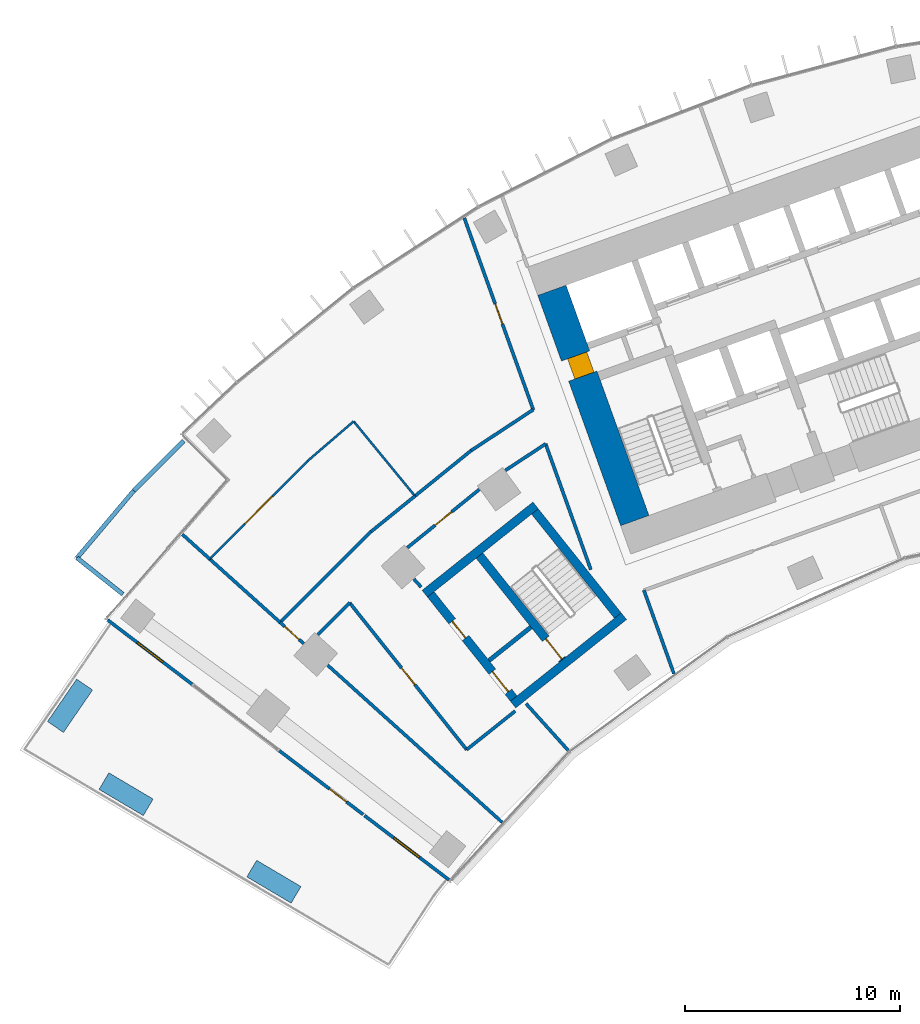
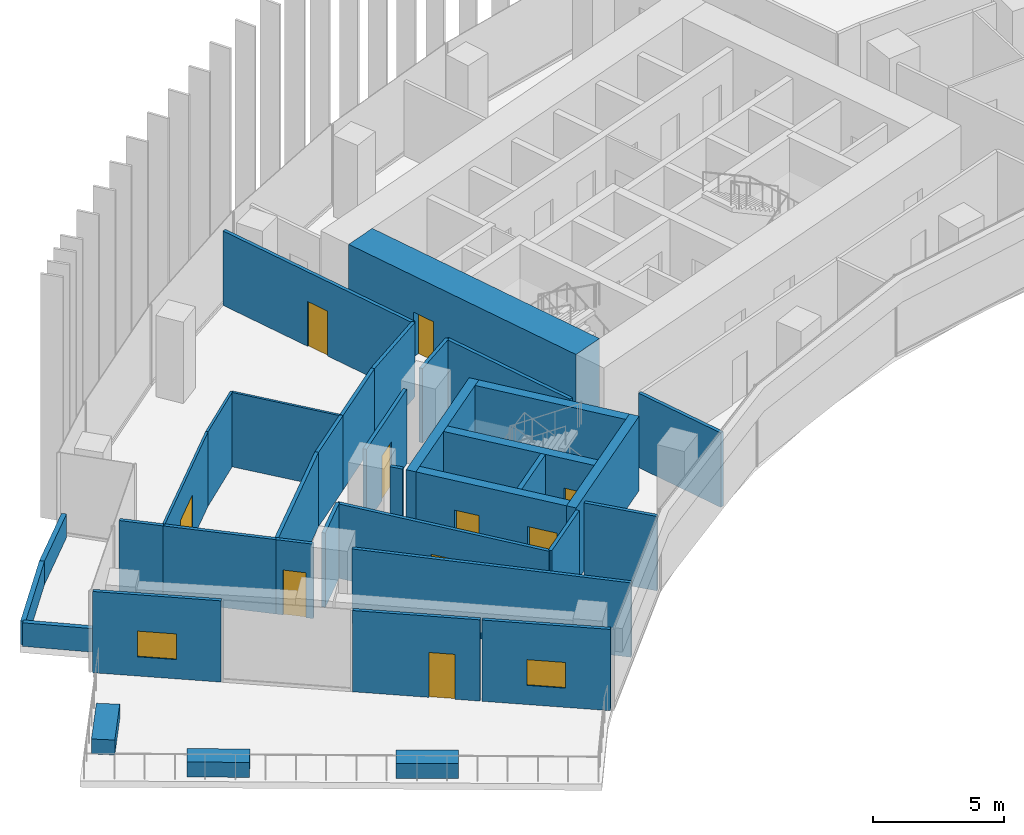
# One storey, part 14 of 21: 37 walls, 10 doors, 2 windows, 12 openings.
"""IFC4 building model written with IfcOpenShell, lengths in metres."""

from ifc_helpers import new_model, si_unit, direction, frame, frame_2d, origin, origin_2d, place, context, subcontext, project, spatial, rectangle, extrude, material, layer, layer_set, type_object, element, fill, save


model = new_model("IFC4")

# Units and contexts
model_context = context("Model", 3, precision=1e-05, world=origin(), true_north=direction((0.0, 1.0)))
body_context = subcontext(model_context, "Body", "Model", "MODEL_VIEW")
ifc_project = project(units=[si_unit("LENGTHUNIT", "METRE"), si_unit("AREAUNIT", "SQUARE_METRE"), si_unit("VOLUMEUNIT", "CUBIC_METRE"), si_unit("PLANEANGLEUNIT", "RADIAN"), si_unit("MASSUNIT", "GRAM", prefix="KILO")], contexts=[model_context])

# Site, building, storey
site_placement = place(None, origin())
site = spatial("IfcSite", under=ifc_project, at=site_placement, CompositionType="ELEMENT")
building_placement = place(site_placement, origin())
building = spatial("IfcBuilding", under=site, at=building_placement, Name="Stone Belt Terrace Tower", CompositionType="ELEMENT")
storey_placement = place(building_placement, frame((0.0, 0.0, 87.0)))
storey = spatial("IfcBuildingStorey", under=building, at=storey_placement, Name="L20", CompositionType="ELEMENT", Elevation=87.0)

# Wall, opening, window
ifc_material_1 = material(Name="Terracotta coloured glazed ceramic", Category="masonry")
ifc_layer_1 = layer(ifc_material_1, 0.14990234375)
ifc_layer_set_1 = layer_set([ifc_layer_1], Name="Ceramic rain-screen wall 150")
wall_type_1 = type_object("IfcWallType", Name="Ceramic rain-screen wall 150", PredefinedType="SOLIDWALL", material=ifc_layer_set_1)
wall_1_placement = place(storey_placement, frame((-50.564697265625, 38.40869140625, 0.0), z_axis=(0.0, 0.0, 1.0), x_axis=(0.795618186408, -0.605798400011, 0.0)))
wall_1 = element("IfcWall", 1, at=wall_1_placement, inside=storey, type_object=wall_type_1, Name="Door wall L20", PredefinedType="SOLIDWALL", context=body_context, shape_type="SweptSolid", body=[
    extrude(rectangle(XDim=4.958251953125, YDim=0.14990234375, at=frame_2d((2.47900390625, 0.0))), origin(), (0.0, 0.0, 1.0), 3.800048828125),
])
opening_1_placement = place(wall_1_placement, frame((1.72900390625, 0.0, 0.89990234375)))
opening_1 = element("IfcOpeningElement", 2, at=opening_1_placement, cuts=wall_1, Name="Opening L20-E01", PredefinedType="OPENING", context=body_context, shape_type="SweptSolid", body=[
    extrude(rectangle(XDim=1.5, YDim=1.199951171875, at=frame_2d((0.75, 0.60009765625))), frame((0.0, 0.0849609375, 0.0), z_axis=(0.0, -1.0, 0.0), x_axis=(1.0, 0.0, 0.0)), (0.0, 0.0, 1.0), 0.169921875),
])
ifc_material_2 = material(Name="Anodised aluminium window frame", Category="aluminium")
window_type = type_object("IfcWindowType", Name="Conservatory vent window 1500 x 1200", PartitioningType="SINGLE_PANEL", PredefinedType="WINDOW", material=ifc_material_2)
window_1_placement = place(opening_1_placement, origin())
window_1 = element("IfcWindow", 3, at=window_1_placement, inside=storey, type_object=window_type, Name="Conservatory vent window L20", OverallHeight=1.199951171875, OverallWidth=1.5, PartitioningType="SINGLE_PANEL", PredefinedType="WINDOW", context=body_context, shape_type="SweptSolid", body=[
    extrude(rectangle(XDim=1.5, YDim=1.199951171875, at=frame_2d((0.75, 0.60009765625))), frame((0.0, 0.030029296875, 0.0), z_axis=(0.0, -1.0, 0.0), x_axis=(1.0, 0.0, 0.0)), (0.0, 0.0, 1.0), 0.06005859375),
])
fill(opening_1, window_1)

# Wall, opening, door
wall_2_placement = place(storey_placement, frame((-42.578369140625, 32.327392578125, 0.0), z_axis=(0.0, 0.0, 1.0), x_axis=(0.795632156172, -0.605780052548, 0.0)))
wall_2 = element("IfcWall", 4, at=wall_2_placement, inside=storey, type_object=wall_type_1, Name="Door wall L20", PredefinedType="SOLIDWALL", context=body_context, shape_type="SweptSolid", body=[
    extrude(rectangle(XDim=4.920166015625, YDim=0.14990234375, at=frame_2d((2.4599609375, 0.0))), origin(), (0.0, 0.0, 1.0), 3.800048828125),
])
opening_2_placement = place(wall_2_placement, frame((2.949951171875, 0.0, 0.0)))
opening_2 = element("IfcOpeningElement", 5, at=opening_2_placement, cuts=wall_2, Name="Opening L20-E02", PredefinedType="OPENING", context=body_context, shape_type="SweptSolid", body=[
    extrude(rectangle(XDim=1.0, YDim=2.10009765625, at=frame_2d((0.5, 1.050048828125))), frame((0.0, 0.0849609375, 0.0), z_axis=(0.0, -1.0, 0.0), x_axis=(1.0, 0.0, 0.0)), (0.0, 0.0, 1.0), 0.169921875),
])
ifc_material_3 = material(Name="Anodised aluminium glazed door", Category="aluminium")
door_type_1 = type_object("IfcDoorType", Name="Terrace door 1000 x 2100", OperationType="NOTDEFINED", PredefinedType="DOOR", material=ifc_material_3)
door_1_placement = place(opening_2_placement, origin())
door_1 = element("IfcDoor", 6, at=door_1_placement, inside=storey, type_object=door_type_1, Name="Terrace door L20", OperationType="SINGLE_SWING_RIGHT", OverallHeight=2.10009765625, OverallWidth=1.0, PredefinedType="DOOR", context=body_context, shape_type="SweptSolid", body=[
    extrude(rectangle(XDim=1.0, YDim=2.10009765625, at=frame_2d((0.5, 1.050048828125))), frame((0.0, 0.02490234375, 0.0), z_axis=(0.0, -1.0, 0.0), x_axis=(1.0, 0.0, 0.0)), (0.0, 0.0, 1.0), 0.050048828125),
])
fill(opening_2, door_1)

# Wall, opening, window
wall_3_placement = place(storey_placement, frame((-38.600341796875, 29.29833984375, 0.0), z_axis=(0.0, 0.0, 1.0), x_axis=(0.795591389384, -0.605833591953, 0.0)))
wall_3 = element("IfcWall", 7, at=wall_3_placement, inside=storey, type_object=wall_type_1, Name="Door wall L20", PredefinedType="SOLIDWALL", context=body_context, shape_type="SweptSolid", body=[
    extrude(rectangle(XDim=4.9482421875, YDim=0.14990234375, at=frame_2d((2.47412109375, 0.0))), origin(), (0.0, 0.0, 1.0), 3.800048828125),
])
opening_3_placement = place(wall_3_placement, frame((1.72412109375, 0.0, 0.89990234375)))
opening_3 = element("IfcOpeningElement", 8, at=opening_3_placement, cuts=wall_3, Name="Opening L20-E03", PredefinedType="OPENING", context=body_context, shape_type="SweptSolid", body=[
    extrude(rectangle(XDim=1.5, YDim=1.199951171875, at=frame_2d((0.75, 0.60009765625))), frame((0.0, 0.0849609375, 0.0), z_axis=(0.0, -1.0, 0.0), x_axis=(1.0, 0.0, 0.0)), (0.0, 0.0, 1.0), 0.169921875),
])
window_2_placement = place(opening_3_placement, origin())
window_2 = element("IfcWindow", 9, at=window_2_placement, inside=storey, type_object=window_type, Name="Conservatory vent window L20", OverallHeight=1.199951171875, OverallWidth=1.5, PartitioningType="SINGLE_PANEL", PredefinedType="WINDOW", context=body_context, shape_type="SweptSolid", body=[
    extrude(rectangle(XDim=1.5, YDim=1.199951171875, at=frame_2d((0.75, 0.60009765625))), frame((0.0, 0.030029296875, 0.0), z_axis=(0.0, -1.0, 0.0), x_axis=(1.0, 0.0, 0.0)), (0.0, 0.0, 1.0), 0.06005859375),
])
fill(opening_3, window_2)

# Wall, opening, door
ifc_material_4 = material(Name="Concrete B80", Category="concrete")
ifc_layer_2 = layer(ifc_material_4, 1.39990234375)
ifc_layer_set_2 = layer_set([ifc_layer_2], Name="Core wall 1400 B80")
wall_type_2 = type_object("IfcWallType", Name="Core wall 1400 B80", PredefinedType="SHEAR", material=ifc_layer_set_2)
wall_4_placement = place(storey_placement, frame((-26.00927734375, 43.03515625, 0.0), z_axis=(0.0, 0.0, 1.0), x_axis=(-0.338625431531, 0.940921259788, 0.0)))
wall_4 = element("IfcWall", 10, at=wall_4_placement, inside=storey, type_object=wall_type_2, Name="Core A wall end_a L20", PredefinedType="SHEAR", context=body_context, shape_type="SweptSolid", body=[
    extrude(rectangle(XDim=11.400146484375, YDim=1.39990234375, at=frame_2d((5.7001953125, 0.0))), origin(), (0.0, 0.0, 1.0), 3.800048828125),
])
opening_4_placement = place(wall_4_placement, frame((7.14990234375, 0.0, 0.0)))
opening_4 = element("IfcOpeningElement", 11, at=opening_4_placement, cuts=wall_4, Name="Opening L20-C01", PredefinedType="OPENING", context=body_context, shape_type="SweptSolid", body=[
    extrude(rectangle(XDim=1.0, YDim=2.10009765625, at=frame_2d((0.5, 1.050048828125))), frame((0.0, 0.7099609375, 0.0), z_axis=(0.0, -1.0, 0.0), x_axis=(1.0, 0.0, 0.0)), (0.0, 0.0, 1.0), 1.419921875),
])
ifc_material_5 = material(Name="Timber door leaf", Category="wood")
door_type_2 = type_object("IfcDoorType", Name="Core room door 1000", OperationType="SINGLE_SWING_LEFT", PredefinedType="DOOR", material=ifc_material_5)
door_2_placement = place(opening_4_placement, origin())
door_2 = element("IfcDoor", 12, at=door_2_placement, inside=storey, type_object=door_type_2, Name="Door to Telecommunications riser room core A", OperationType="SINGLE_SWING_RIGHT", OverallHeight=2.10009765625, OverallWidth=1.0, PredefinedType="DOOR", context=body_context, shape_type="SweptSolid", body=[
    extrude(rectangle(XDim=1.0, YDim=2.10009765625, at=frame_2d((0.5, 1.050048828125))), frame((0.0, 0.39501953125, 0.0), z_axis=(0.0, -1.0, 0.0), x_axis=(1.0, 0.0, 0.0)), (0.0, 0.0, 1.0), 0.949951171875),
])
fill(opening_4, door_2)

# Walls
ifc_material_6 = material(Name="Gypsum board partition")
ifc_layer_3 = layer(ifc_material_6, 0.10009765625)
ifc_layer_set_3 = layer_set([ifc_layer_3], Name="PARTITION 100")
wall_type_3 = type_object("IfcWallType", Name="PARTITION 100", PredefinedType="PARTITIONING", material=ifc_layer_set_3)
wall_5_placement = place(storey_placement, frame((-36.2490234375, 44.179931640625, 0.0), z_axis=(0.0, 0.0, 1.0), x_axis=(-0.634477896976, 0.772941005672, 0.0)))
element("IfcWall", 13, at=wall_5_placement, inside=storey, type_object=wall_type_3, Name="L20/wall/i043", PredefinedType="PARTITIONING", context=body_context, shape_type="SweptSolid", body=[
    extrude(rectangle(XDim=4.499755859375, YDim=0.10009765625, at=frame_2d((2.25, 0.0))), origin(), (0.0, 0.0, 1.0), 3.47998046875),
])
wall_6_placement = place(storey_placement, frame((-39.10400390625, 47.657958984375, 0.0), z_axis=(0.0, 0.0, 1.0), x_axis=(-0.758287541093, -0.651920244373, 0.0)))
element("IfcWall", 14, at=wall_6_placement, inside=storey, type_object=wall_type_3, Name="L20/wall/i044", PredefinedType="PARTITIONING", context=body_context, shape_type="SweptSolid", body=[
    extrude(rectangle(XDim=2.830078125, YDim=0.10009765625, at=frame_2d((1.4150390625, 0.0))), origin(), (0.0, 0.0, 1.0), 3.47998046875),
])

# Wall, opening, door
wall_7_placement = place(storey_placement, frame((-41.25, 45.81298828125, 0.0), z_axis=(0.0, 0.0, 1.0), x_axis=(-0.707106781187, -0.707106781187, 0.0)))
wall_7 = element("IfcWall", 15, at=wall_7_placement, inside=storey, type_object=wall_type_3, Name="L20/wall/i045", PredefinedType="PARTITIONING", context=body_context, shape_type="SweptSolid", body=[
    extrude(rectangle(XDim=6.453125, YDim=0.10009765625, at=frame_2d((3.2265625, 0.0))), origin(), (0.0, 0.0, 1.0), 3.47998046875),
])
opening_5_placement = place(wall_7_placement, frame((2.326416015625, 0.0, 0.0)))
opening_5 = element("IfcOpeningElement", 16, at=opening_5_placement, cuts=wall_7, Name="Opening D-B1-13", PredefinedType="OPENING", context=body_context, shape_type="SweptSolid", body=[
    extrude(rectangle(XDim=1.800048828125, YDim=2.10009765625, at=frame_2d((0.89990234375, 1.050048828125))), frame((0.0, 0.06005859375, 0.0), z_axis=(0.0, -1.0, 0.0), x_axis=(1.0, 0.0, 0.0)), (0.0, 0.0, 1.0), 0.1201171875),
])
door_type_3 = type_object("IfcDoorType", Name="DOUBLE DOOR 1800 X 2100", OperationType="DOUBLE_DOOR_SINGLE_SWING", PredefinedType="DOOR", material=ifc_material_5)
door_3_placement = place(opening_5_placement, origin())
door_3 = element("IfcDoor", 17, at=door_3_placement, inside=storey, type_object=door_type_3, Name="L20/door/i13", OperationType="DOUBLE_DOOR_SINGLE_SWING", OverallHeight=2.10009765625, OverallWidth=1.800048828125, PredefinedType="DOOR", context=body_context, shape_type="SweptSolid", body=[
    extrude(rectangle(XDim=1.800048828125, YDim=2.10009765625, at=frame_2d((0.89990234375, 1.050048828125))), frame((0.0, 0.02490234375, 0.0), z_axis=(0.0, -1.0, 0.0), x_axis=(1.0, 0.0, 0.0)), (0.0, 0.0, 1.0), 0.050048828125),
])
fill(opening_5, door_3)

# Walls
ifc_layer_4 = layer(ifc_material_6, 0.14990234375)
ifc_layer_set_4 = layer_set([ifc_layer_4], Name="PARTITION 150 EI 60")
wall_type_4 = type_object("IfcWallType", Name="PARTITION 150 EI 60", PredefinedType="PARTITIONING", material=ifc_layer_set_4)
wall_8_placement = place(storey_placement, frame((-25.5859375, 39.79296875, 0.0), z_axis=(0.0, 0.0, 1.0), x_axis=(0.338545933013, -0.940949866486, 0.0)))
element("IfcWall", 18, at=wall_8_placement, inside=storey, type_object=wall_type_4, Name="L20/wall/i001", PredefinedType="PARTITIONING", context=body_context, shape_type="SweptSolid", body=[
    extrude(rectangle(XDim=4.135009765625, YDim=0.14990234375, at=frame_2d((2.0673828125, 0.0))), origin(), (0.0, 0.0, 1.0), 3.47998046875),
])
wall_9_placement = place(storey_placement, frame((-28.05810546875, 40.75390625, 0.0), z_axis=(0.0, 0.0, 1.0), x_axis=(-0.338523697563, 0.94095786632, 0.0)))
element("IfcWall", 19, at=wall_9_placement, inside=storey, type_object=wall_type_4, Name="L20/wall/i003", PredefinedType="PARTITIONING", context=body_context, shape_type="SweptSolid", body=[
    extrude(rectangle(XDim=6.226806640625, YDim=0.14990234375, at=frame_2d((3.11328125, 0.0))), origin(), (0.0, 0.0, 1.0), 3.47998046875),
])
wall_10_placement = place(storey_placement, frame((-29.107177734375, 32.32666015625, 0.0), z_axis=(0.0, 0.0, 1.0), x_axis=(-0.669245075227, 0.74304174128, 0.0)))
element("IfcWall", 20, at=wall_10_placement, inside=storey, type_object=wall_type_4, Name="L20/wall/i004", PredefinedType="PARTITIONING", context=body_context, shape_type="SweptSolid", body=[
    extrude(rectangle(XDim=2.9345703125, YDim=0.14990234375, at=frame_2d((1.46728515625, 0.0))), origin(), (0.0, 0.0, 1.0), 3.47998046875),
])

# Wall, opening, door
wall_11_placement = place(storey_placement, frame((-30.737060546875, 48.197021484375, 0.0), z_axis=(0.0, 0.0, 1.0), x_axis=(-0.338586530295, 0.940935258933, 0.0)))
wall_11 = element("IfcWall", 21, at=wall_11_placement, inside=storey, type_object=wall_type_4, Name="L20/wall/i005", PredefinedType="PARTITIONING", context=body_context, shape_type="SweptSolid", body=[
    extrude(rectangle(XDim=9.494873046875, YDim=0.14990234375, at=frame_2d((4.74755859375, 0.0))), origin(), (0.0, 0.0, 1.0), 3.47998046875),
])
opening_6_placement = place(wall_11_placement, frame((4.24755859375, 0.0, 0.0)))
opening_6 = element("IfcOpeningElement", 22, at=opening_6_placement, cuts=wall_11, Name="Opening D-B1-12", PredefinedType="OPENING", context=body_context, shape_type="SweptSolid", body=[
    extrude(rectangle(XDim=1.0, YDim=2.10009765625, at=frame_2d((0.5, 1.050048828125))), frame((0.0, 0.0849609375, 0.0), z_axis=(0.0, -1.0, 0.0), x_axis=(1.0, 0.0, 0.0)), (0.0, 0.0, 1.0), 0.169921875),
])
ifc_material_7 = material(Name="Timber fire door leaf", Category="wood")
door_type_4 = type_object("IfcDoorType", Name="TENANCY ENTRANCE DOOR 1000 X 2100", OperationType="NOTDEFINED", PredefinedType="DOOR", material=ifc_material_7)
door_4_placement = place(opening_6_placement, origin())
door_4 = element("IfcDoor", 23, at=door_4_placement, inside=storey, type_object=door_type_4, Name="L20/door/i12", OperationType="SINGLE_SWING_RIGHT", OverallHeight=2.10009765625, OverallWidth=1.0, PredefinedType="DOOR", context=body_context, shape_type="SweptSolid", body=[
    extrude(rectangle(XDim=1.0, YDim=2.10009765625, at=frame_2d((0.5, 1.050048828125))), frame((0.0, 0.02490234375, 0.0), z_axis=(0.0, -1.0, 0.0), x_axis=(1.0, 0.0, 0.0)), (0.0, 0.0, 1.0), 0.050048828125),
])
fill(opening_6, door_4)

wall_12_placement = place(storey_placement, frame((-41.43408203125, 37.307373046875, 0.0), z_axis=(0.0, 0.0, 1.0), x_axis=(-0.742890797428, 0.669412625439, 0.0)))
wall_12 = element("IfcWall", 24, at=wall_12_placement, inside=storey, type_object=wall_type_4, Name="L20/wall/i029", PredefinedType="PARTITIONING", context=body_context, shape_type="SweptSolid", body=[
    extrude(rectangle(XDim=1.475341796875, YDim=0.14990234375, at=frame_2d((0.73779296875, 0.0))), origin(), (0.0, 0.0, 1.0), 3.47998046875),
])
opening_7_placement = place(wall_12_placement, frame((0.28759765625, 0.0, 0.0)))
opening_7 = element("IfcOpeningElement", 25, at=opening_7_placement, cuts=wall_12, Name="Opening D-B1-09", PredefinedType="OPENING", context=body_context, shape_type="SweptSolid", body=[
    extrude(rectangle(XDim=0.89990234375, YDim=2.10009765625, at=frame_2d((0.449951171875, 1.050048828125))), frame((0.0, 0.0849609375, 0.0), z_axis=(0.0, -1.0, 0.0), x_axis=(1.0, 0.0, 0.0)), (0.0, 0.0, 1.0), 0.169921875),
])
door_type_5 = type_object("IfcDoorType", Name="OFFICE DOOR 900 X 2100", OperationType="NOTDEFINED", PredefinedType="DOOR", material=ifc_material_5)
door_5_placement = place(opening_7_placement, origin())
door_5 = element("IfcDoor", 26, at=door_5_placement, inside=storey, type_object=door_type_5, Name="L20/door/i09", OperationType="SINGLE_SWING_RIGHT", OverallHeight=2.10009765625, OverallWidth=0.89990234375, PredefinedType="DOOR", context=body_context, shape_type="SweptSolid", body=[
    extrude(rectangle(XDim=0.89990234375, YDim=2.10009765625, at=frame_2d((0.449951171875, 1.050048828125))), frame((0.0, 0.02490234375, 0.0), z_axis=(0.0, -1.0, 0.0), x_axis=(1.0, 0.0, 0.0)), (0.0, 0.0, 1.0), 0.050048828125),
])
fill(opening_7, door_5)

# Walls
wall_13_placement = place(storey_placement, frame((-40.3115234375, 36.29736328125, 0.0), z_axis=(0.0, 0.0, 1.0), x_axis=(0.743153102887, -0.66912141325, 0.0)))
element("IfcWall", 27, at=wall_13_placement, inside=storey, type_object=wall_type_4, Name="L20/wall/i030", PredefinedType="PARTITIONING", context=body_context, shape_type="SweptSolid", body=[
    extrude(rectangle(XDim=10.93212890625, YDim=0.14990234375, at=frame_2d((5.466064453125, 0.0))), origin(), (0.0, 0.0, 1.0), 3.47998046875),
])
wall_14_placement = place(storey_placement, frame((-47.086181640625, 42.39697265625, 0.0), z_axis=(0.0, 0.0, 1.0), x_axis=(0.742863249465, -0.669443195943, 0.0)))
element("IfcWall", 28, at=wall_14_placement, inside=storey, type_object=wall_type_4, Name="L20/wall/i031", PredefinedType="PARTITIONING", context=body_context, shape_type="SweptSolid", body=[
    extrude(rectangle(XDim=1.71923828125, YDim=0.14990234375, at=frame_2d((0.859619140625, 0.0))), origin(), (0.0, 0.0, 1.0), 3.47998046875),
])
wall_15_placement = place(storey_placement, frame((-45.81689453125, 41.25390625, 0.0), z_axis=(0.0, 0.0, 1.0), x_axis=(0.74314079995, -0.669135077133, 0.0)))
element("IfcWall", 29, at=wall_15_placement, inside=storey, type_object=wall_type_4, Name="L20/wall/i032", PredefinedType="PARTITIONING", context=body_context, shape_type="SweptSolid", body=[
    extrude(rectangle(XDim=4.433837890625, YDim=0.14990234375, at=frame_2d((2.216796875, 0.0))), origin(), (0.0, 0.0, 1.0), 3.47998046875),
])
wall_16_placement = place(storey_placement, frame((-30.1640625, 46.60693359375, 0.0), z_axis=(0.0, 0.0, 1.0), x_axis=(-0.835456606052, -0.549556420583, 0.0)))
element("IfcWall", 30, at=wall_16_placement, inside=storey, type_object=wall_type_4, Name="L20/wall/i033", PredefinedType="PARTITIONING", context=body_context, shape_type="SweptSolid", body=[
    extrude(rectangle(XDim=2.239013671875, YDim=0.14990234375, at=frame_2d((1.11962890625, 0.0))), origin(), (0.0, 0.0, 1.0), 3.47998046875),
])

# Wall, opening, door
wall_17_placement = place(storey_placement, frame((-33.253662109375, 44.485107421875, 0.0), z_axis=(0.0, 0.0, 1.0), x_axis=(-0.777153738144, -0.62931078752, 0.0)))
wall_17 = element("IfcWall", 31, at=wall_17_placement, inside=storey, type_object=wall_type_4, Name="L20/wall/i034", PredefinedType="PARTITIONING", context=body_context, shape_type="SweptSolid", body=[
    extrude(rectangle(XDim=4.30517578125, YDim=0.14990234375, at=frame_2d((2.152587890625, 0.0))), origin(), (0.0, 0.0, 1.0), 3.47998046875),
])
opening_8_placement = place(wall_17_placement, frame((1.652587890625, 0.0, 0.0)))
opening_8 = element("IfcOpeningElement", 32, at=opening_8_placement, cuts=wall_17, Name="Opening D-B1-10", PredefinedType="OPENING", context=body_context, shape_type="SweptSolid", body=[
    extrude(rectangle(XDim=1.0, YDim=2.10009765625, at=frame_2d((0.5, 1.050048828125))), frame((0.0, 0.0849609375, 0.0), z_axis=(0.0, -1.0, 0.0), x_axis=(1.0, 0.0, 0.0)), (0.0, 0.0, 1.0), 0.169921875),
])
door_6_placement = place(opening_8_placement, origin())
door_6 = element("IfcDoor", 33, at=door_6_placement, inside=storey, type_object=door_type_4, Name="L20/door/i10", OperationType="SINGLE_SWING_RIGHT", OverallHeight=2.10009765625, OverallWidth=1.0, PredefinedType="DOOR", context=body_context, shape_type="SweptSolid", body=[
    extrude(rectangle(XDim=1.0, YDim=2.10009765625, at=frame_2d((0.5, 1.050048828125))), frame((0.0, 0.02490234375, 0.0), z_axis=(0.0, -1.0, 0.0), x_axis=(1.0, 0.0, 0.0)), (0.0, 0.0, 1.0), 0.050048828125),
])
fill(opening_8, door_6)

# Walls
wall_18_placement = place(storey_placement, frame((-39.281982421875, 39.205078125, 0.0), z_axis=(0.0, 0.0, 1.0), x_axis=(-0.707106781187, -0.707106781187, 0.0)))
element("IfcWall", 34, at=wall_18_placement, inside=storey, type_object=wall_type_4, Name="L20/wall/i035", PredefinedType="PARTITIONING", context=body_context, shape_type="SweptSolid", body=[
    extrude(rectangle(XDim=2.09814453125, YDim=0.14990234375, at=frame_2d((1.049072265625, 0.0))), origin(), (0.0, 0.0, 1.0), 3.47998046875),
])
wall_19_placement = place(storey_placement, frame((-36.2529296875, 44.176025390625, 0.0), z_axis=(0.0, 0.0, 1.0), x_axis=(0.777042249908, 0.629448442574, 0.0)))
element("IfcWall", 35, at=wall_19_placement, inside=storey, type_object=wall_type_4, Name="L20/wall/i036", PredefinedType="PARTITIONING", context=body_context, shape_type="SweptSolid", body=[
    extrude(rectangle(XDim=3.367919921875, YDim=0.14990234375, at=frame_2d((1.68408203125, 0.0))), origin(), (0.0, 0.0, 1.0), 3.47998046875),
])
wall_20_placement = place(storey_placement, frame((-33.635986328125, 46.2958984375, 0.0), z_axis=(0.0, 0.0, 1.0), x_axis=(0.835274160171, 0.549833681535, 0.0)))
element("IfcWall", 36, at=wall_20_placement, inside=storey, type_object=wall_type_4, Name="L20/wall/i037", PredefinedType="PARTITIONING", context=body_context, shape_type="SweptSolid", body=[
    extrude(rectangle(XDim=3.46826171875, YDim=0.14990234375, at=frame_2d((1.734130859375, 0.0))), origin(), (0.0, 0.0, 1.0), 3.47998046875),
])
wall_21_placement = place(storey_placement, frame((-42.52587890625, 38.291015625, 0.0), z_axis=(0.0, 0.0, 1.0), x_axis=(0.707106781187, 0.707106781187, 0.0)))
element("IfcWall", 37, at=wall_21_placement, inside=storey, type_object=wall_type_4, Name="L20/wall/i038", PredefinedType="PARTITIONING", context=body_context, shape_type="SweptSolid", body=[
    extrude(rectangle(XDim=5.989013671875, YDim=0.14990234375, at=frame_2d((2.99462890625, 0.0))), origin(), (0.0, 0.0, 1.0), 3.47998046875),
])
wall_22_placement = place(storey_placement, frame((-38.291015625, 42.52587890625, 0.0), z_axis=(0.0, 0.0, 1.0), x_axis=(0.777238394791, 0.629206228246, 0.0)))
element("IfcWall", 38, at=wall_22_placement, inside=storey, type_object=wall_type_4, Name="L20/wall/i039", PredefinedType="PARTITIONING", context=body_context, shape_type="SweptSolid", body=[
    extrude(rectangle(XDim=2.6337890625, YDim=0.14990234375, at=frame_2d((1.31689453125, 0.0))), origin(), (0.0, 0.0, 1.0), 3.47998046875),
])
wall_23_placement = place(storey_placement, frame((-36.297119140625, 40.311767578125, 0.0), z_axis=(0.0, 0.0, 1.0), x_axis=(0.669100229536, -0.743172175768, 0.0)))
element("IfcWall", 39, at=wall_23_placement, inside=storey, type_object=wall_type_4, Name="L20/wall/i040", PredefinedType="PARTITIONING", context=body_context, shape_type="SweptSolid", body=[
    extrude(rectangle(XDim=0.497802734375, YDim=0.14990234375, at=frame_2d((0.2490234375, 0.0))), origin(), (0.0, 0.0, 1.0), 3.47998046875),
])
wall_24_placement = place(storey_placement, frame((-31.58203125, 34.1640625, 0.0), z_axis=(0.0, 0.0, 1.0), x_axis=(-0.78211299795, -0.623136629029, 0.0)))
element("IfcWall", 40, at=wall_24_placement, inside=storey, type_object=wall_type_4, Name="L20/wall/i041", PredefinedType="PARTITIONING", context=body_context, shape_type="SweptSolid", body=[
    extrude(rectangle(XDim=2.88720703125, YDim=0.14990234375, at=frame_2d((1.443603515625, 0.0))), origin(), (0.0, 0.0, 1.0), 3.47998046875),
])

# Wall, opening, door
wall_25_placement = place(storey_placement, frame((-33.841064453125, 32.365966796875, 0.0), z_axis=(0.0, 0.0, 1.0), x_axis=(-0.623078744687, 0.782159112917, 0.0)))
wall_25 = element("IfcWall", 41, at=wall_25_placement, inside=storey, type_object=wall_type_4, Name="L20/wall/i042", PredefinedType="PARTITIONING", context=body_context, shape_type="SweptSolid", body=[
    extrude(rectangle(XDim=8.738525390625, YDim=0.14990234375, at=frame_2d((4.369140625, 0.0))), origin(), (0.0, 0.0, 1.0), 3.47998046875),
])
opening_9_placement = place(wall_25_placement, frame((3.869384765625, 0.0, 0.0)))
opening_9 = element("IfcOpeningElement", 42, at=opening_9_placement, cuts=wall_25, Name="Opening D-B1-11", PredefinedType="OPENING", context=body_context, shape_type="SweptSolid", body=[
    extrude(rectangle(XDim=1.0, YDim=2.10009765625, at=frame_2d((0.5, 1.050048828125))), frame((0.0, 0.0849609375, 0.0), z_axis=(0.0, -1.0, 0.0), x_axis=(1.0, 0.0, 0.0)), (0.0, 0.0, 1.0), 0.169921875),
])
door_7_placement = place(opening_9_placement, origin())
door_7 = element("IfcDoor", 43, at=door_7_placement, inside=storey, type_object=door_type_4, Name="L20/door/i11", OperationType="SINGLE_SWING_RIGHT", OverallHeight=2.10009765625, OverallWidth=1.0, PredefinedType="DOOR", context=body_context, shape_type="SweptSolid", body=[
    extrude(rectangle(XDim=1.0, YDim=2.10009765625, at=frame_2d((0.5, 1.050048828125))), frame((0.0, 0.02490234375, 0.0), z_axis=(0.0, -1.0, 0.0), x_axis=(1.0, 0.0, 0.0)), (0.0, 0.0, 1.0), 0.050048828125),
])
fill(opening_9, door_7)

# Walls
ifc_material_8 = material(Name="Precast concrete C40/50", Category="concrete")
ifc_layer_5 = layer(ifc_material_8, 0.89990234375)
ifc_layer_set_5 = layer_set([ifc_layer_5], Name="Planter box 900 x 700")
wall_type_5 = type_object("IfcWallType", Name="Planter box 900 x 700", PredefinedType="SOLIDWALL", material=ifc_layer_set_5)
for number, where, z_axis, x_axis, name in (
    (44, (-52.31494140625, 34.410888671875, 0.0), (0.0, 0.0, 1.0), (-0.566375967567, -0.824146991357, 0.0), "PLANTER L20 1"),
    (45, (-49.70458984375, 30.291015625, 0.0), (0.0, 0.0, 1.0), (0.860557728521, -0.509352918793, 0.0), "PLANTER L20 2"),
    (46, (-42.820068359375, 26.21630859375, 0.0), (0.0, 0.0, 1.0), (0.860557728521, -0.509352918793, 0.0), "PLANTER L20 3"),
):
    element("IfcWall", number, at=place(storey_placement, frame(where, z_axis=z_axis, x_axis=x_axis)), inside=storey, type_object=wall_type_5, Name=name, PredefinedType="SOLIDWALL", context=body_context, shape_type="SweptSolid", body=[
        extrude(rectangle(XDim=2.39990234375, YDim=0.89990234375, at=origin_2d()), origin(), (0.0, 0.0, 1.0), 0.699951171875),
    ])
ifc_material_9 = material(Name="Concrete masonry block", Category="masonry")
ifc_layer_6 = layer(ifc_material_9, 0.199951171875)
ifc_layer_set_6 = layer_set([ifc_layer_6], Name="Rated lobby wall 200")
wall_type_6 = type_object("IfcWallType", Name="Rated lobby wall 200", PredefinedType="PARTITIONING", material=ifc_layer_set_6)
wall_26_placement = place(storey_placement, frame((-30.845703125, 38.074951171875, 0.0), z_axis=(0.0, 0.0, 1.0), x_axis=(-0.782115323833, -0.623133709749, 0.0)))
element("IfcWall", 47, at=wall_26_placement, inside=storey, type_object=wall_type_6, Name="Exit stair ST3A wall", PredefinedType="PARTITIONING", context=body_context, shape_type="SweptSolid", body=[
    extrude(rectangle(XDim=2.5, YDim=0.199951171875, at=frame_2d((1.25, 0.0))), origin(), (0.0, 0.0, 1.0), 3.47998046875),
])
ifc_layer_7 = layer(ifc_material_8, 0.199951171875)
ifc_layer_set_7 = layer_set([ifc_layer_7], Name="Roof parapet 200 x 1100")
wall_type_7 = type_object("IfcWallType", Name="Roof parapet 200 x 1100", PredefinedType="PARAPET", material=ifc_layer_set_7)
wall_27_placement = place(storey_placement, frame((-51.990478515625, 41.2978515625, 0.0), z_axis=(0.0, 0.0, 1.0), x_axis=(0.783974874793, -0.620792554476, 0.0)))
element("IfcWall", 48, at=wall_27_placement, inside=storey, type_object=wall_type_7, Name="PARAPET L20", PredefinedType="PARAPET", context=body_context, shape_type="SweptSolid", body=[
    extrude(rectangle(XDim=2.721435546875, YDim=0.199951171875, at=frame_2d((1.36083984375, 0.0))), origin(), (0.0, 0.0, 1.0), 1.10009765625),
])
wall_28_placement = place(storey_placement, frame((-47.02978515625, 46.7451171875, 0.0), z_axis=(0.0, 0.0, 1.0), x_axis=(-0.707106781187, -0.707106781187, 0.0)))
element("IfcWall", 49, at=wall_28_placement, inside=storey, type_object=wall_type_7, Name="PARAPET L20", PredefinedType="PARAPET", context=body_context, shape_type="SweptSolid", body=[
    extrude(rectangle(XDim=3.27490234375, YDim=0.199951171875, at=frame_2d((1.637451171875, 0.0))), origin(), (0.0, 0.0, 1.0), 1.10009765625),
])
wall_29_placement = place(storey_placement, frame((-49.345458984375, 44.429443359375, 0.0), z_axis=(0.0, 0.0, 1.0), x_axis=(-0.645261164697, -0.763962060141, 0.0)))
element("IfcWall", 50, at=wall_29_placement, inside=storey, type_object=wall_type_7, Name="PARAPET L20", PredefinedType="PARAPET", context=body_context, shape_type="SweptSolid", body=[
    extrude(rectangle(XDim=4.09912109375, YDim=0.199951171875, at=frame_2d((2.049560546875, 0.0))), origin(), (0.0, 0.0, 1.0), 1.10009765625),
])
ifc_layer_8 = layer(ifc_material_4, 0.39990234375)
ifc_layer_set_8 = layer_set([ifc_layer_8], Name="Stair enclosure wall 400")
wall_type_8 = type_object("IfcWallType", Name="Stair enclosure wall 400", PredefinedType="SHEAR", material=ifc_layer_set_8)
for number, where, z_axis, x_axis, name in (
    (51, (-26.518798828125, 38.58154296875, 0.0), (0.0, 0.0, 1.0), (-0.782133914161, -0.623110375711, 0.0), "Exit stair ST3A wall"),
    (52, (-30.63134765625, 43.74365234375, 0.0), (0.0, 0.0, 1.0), (-0.782133914161, -0.623110375711, 0.0), "Exit stair ST3A wall"),
):
    element("IfcWall", number, at=place(storey_placement, frame(where, z_axis=z_axis, x_axis=x_axis)), inside=storey, type_object=wall_type_8, Name=name, PredefinedType="SHEAR", context=body_context, shape_type="SweptSolid", body=[
        extrude(rectangle(XDim=6.60009765625, YDim=0.39990234375, at=frame_2d((3.300048828125, 0.0))), origin(), (0.0, 0.0, 1.0), 3.47998046875),
    ])
wall_30_placement = place(storey_placement, frame((-26.7998046875, 38.61328125, 0.0), z_axis=(0.0, 0.0, 1.0), x_axis=(-0.623118653668, 0.782127319208, 0.0)))
element("IfcWall", 53, at=wall_30_placement, inside=storey, type_object=wall_type_8, Name="Exit stair ST3A wall", PredefinedType="SHEAR", context=body_context, shape_type="SweptSolid", body=[
    extrude(rectangle(XDim=6.199951171875, YDim=0.39990234375, at=frame_2d((3.10009765625, 0.0))), origin(), (0.0, 0.0, 1.0), 3.47998046875),
])

# Wall, openings, doors
wall_31_placement = place(storey_placement, frame((-31.64892578125, 34.75, 0.0), z_axis=(0.0, 0.0, 1.0), x_axis=(-0.623118653668, 0.782127319208, 0.0)))
wall_31 = element("IfcWall", 54, at=wall_31_placement, inside=storey, type_object=wall_type_8, Name="Exit stair ST3A wall", PredefinedType="SHEAR", context=body_context, shape_type="SweptSolid", body=[
    extrude(rectangle(XDim=6.199951171875, YDim=0.39990234375, at=frame_2d((3.10009765625, 0.0))), origin(), (0.0, 0.0, 1.0), 3.47998046875),
])
opening_10_placement = place(wall_31_placement, frame((0.39990234375, 0.0, 0.0)))
opening_10 = element("IfcOpeningElement", 55, at=opening_10_placement, cuts=wall_31, Name="Opening L20-C24", PredefinedType="OPENING", context=body_context, shape_type="SweptSolid", body=[
    extrude(rectangle(XDim=1.199951171875, YDim=2.10009765625, at=frame_2d((0.60009765625, 1.050048828125))), frame((0.0, 0.2099609375, 0.0), z_axis=(0.0, -1.0, 0.0), x_axis=(1.0, 0.0, 0.0)), (0.0, 0.0, 1.0), 0.419921875),
])
opening_11_placement = place(wall_31_placement, frame((3.60009765625, 0.0, 0.0)))
opening_11 = element("IfcOpeningElement", 56, at=opening_11_placement, cuts=wall_31, Name="Opening L20-C25", PredefinedType="OPENING", context=body_context, shape_type="SweptSolid", body=[
    extrude(rectangle(XDim=1.0, YDim=2.10009765625, at=frame_2d((0.5, 1.050048828125))), frame((0.0, 0.2099609375, 0.0), z_axis=(0.0, -1.0, 0.0), x_axis=(1.0, 0.0, 0.0)), (0.0, 0.0, 1.0), 0.419921875),
])
door_8_placement = place(opening_11_placement, origin())
door_8 = element("IfcDoor", 57, at=door_8_placement, inside=storey, type_object=door_type_2, Name="Door to stair pressurisation plant room ST3A", OperationType="SINGLE_SWING_RIGHT", OverallHeight=2.10009765625, OverallWidth=1.0, PredefinedType="DOOR", context=body_context, shape_type="SweptSolid", body=[
    extrude(rectangle(XDim=1.0, YDim=2.10009765625, at=frame_2d((0.5, 1.050048828125))), frame((0.0, 0.02490234375, 0.0), z_axis=(0.0, -1.0, 0.0), x_axis=(1.0, 0.0, 0.0)), (0.0, 0.0, 1.0), 0.050048828125),
])
fill(opening_11, door_8)
ifc_material_10 = material(Name="Steel door leaf", Category="steel")
door_type_6 = type_object("IfcDoorType", Name="Stair airlock door 1200", OperationType="SINGLE_SWING_LEFT", PredefinedType="DOOR", material=ifc_material_10)
door_9_placement = place(opening_10_placement, origin())
door_9 = element("IfcDoor", 58, at=door_9_placement, inside=storey, type_object=door_type_6, Name="Stair airlock door ST3A", OperationType="SINGLE_SWING_RIGHT", OverallHeight=2.10009765625, OverallWidth=1.199951171875, PredefinedType="DOOR", context=body_context, shape_type="SweptSolid", body=[
    extrude(rectangle(XDim=1.199951171875, YDim=2.10009765625, at=frame_2d((0.60009765625, 1.050048828125))), frame((0.0, 0.02490234375, 0.0), z_axis=(0.0, -1.0, 0.0), x_axis=(1.0, 0.0, 0.0)), (0.0, 0.0, 1.0), 0.050048828125),
])
fill(opening_10, door_9)

# Wall, opening, door
wall_32_placement = place(storey_placement, frame((-29.380859375, 36.556884765625, 0.0), z_axis=(0.0, 0.0, 1.0), x_axis=(-0.623099462847, 0.782142608097, 0.0)))
wall_32 = element("IfcWall", 59, at=wall_32_placement, inside=storey, type_object=wall_type_8, Name="Exit stair ST3A wall", PredefinedType="SHEAR", context=body_context, shape_type="SweptSolid", body=[
    extrude(rectangle(XDim=6.2001953125, YDim=0.39990234375, at=frame_2d((3.10009765625, 0.0))), origin(), (0.0, 0.0, 1.0), 3.47998046875),
])
opening_12_placement = place(wall_32_placement, frame((0.050048828125, 0.0, 0.0)))
opening_12 = element("IfcOpeningElement", 60, at=opening_12_placement, cuts=wall_32, Name="Opening L20-C23", PredefinedType="OPENING", context=body_context, shape_type="SweptSolid", body=[
    extrude(rectangle(XDim=1.199951171875, YDim=2.10009765625, at=frame_2d((0.60009765625, 1.050048828125))), frame((0.0, 0.2099609375, 0.0), z_axis=(0.0, -1.0, 0.0), x_axis=(1.0, 0.0, 0.0)), (0.0, 0.0, 1.0), 0.419921875),
])
door_type_7 = type_object("IfcDoorType", Name="Stair door 1200", OperationType="SINGLE_SWING_LEFT", PredefinedType="DOOR", material=ifc_material_10)
door_10_placement = place(opening_12_placement, origin())
door_10 = element("IfcDoor", 61, at=door_10_placement, inside=storey, type_object=door_type_7, Name="Stair door ST3A", OperationType="SINGLE_SWING_LEFT", OverallHeight=2.10009765625, OverallWidth=1.199951171875, PredefinedType="DOOR", context=body_context, shape_type="SweptSolid", body=[
    extrude(rectangle(XDim=1.199951171875, YDim=2.10009765625, at=frame_2d((0.60009765625, 1.050048828125))), frame((0.0, 0.02490234375, 0.0), z_axis=(0.0, -1.0, 0.0), x_axis=(1.0, 0.0, 0.0)), (0.0, 0.0, 1.0), 0.050048828125),
])
fill(opening_12, door_10)

save(model, "model.ifc")
